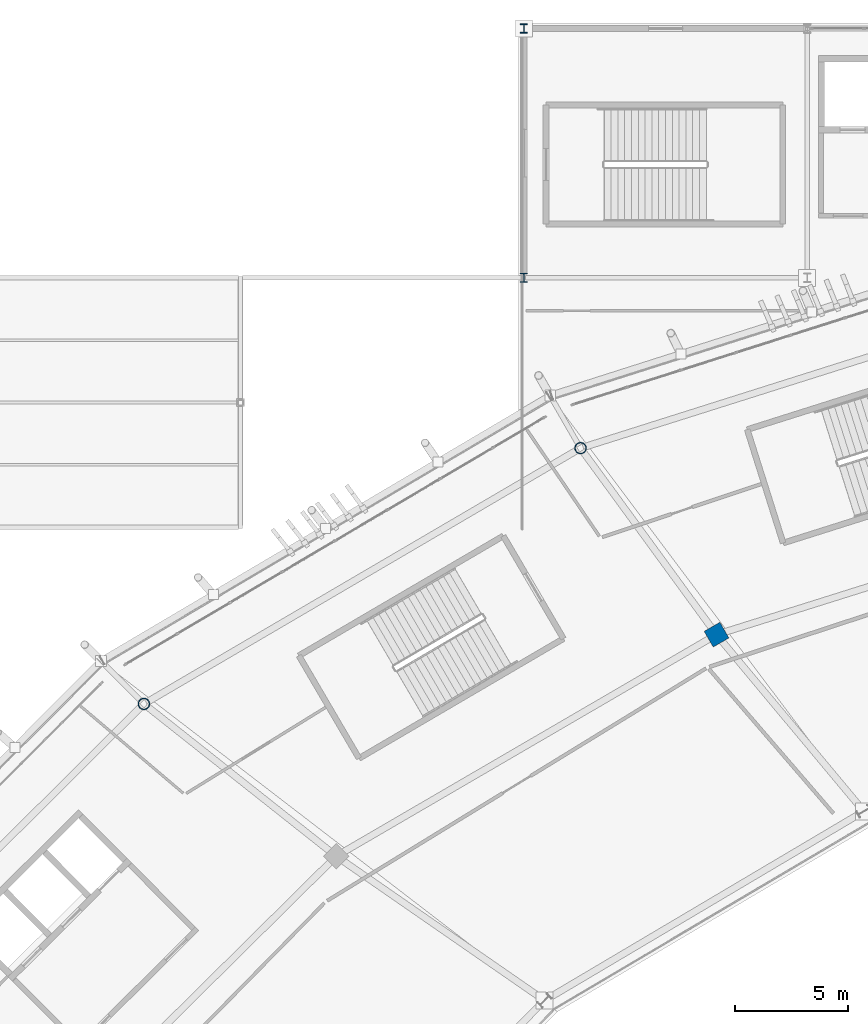
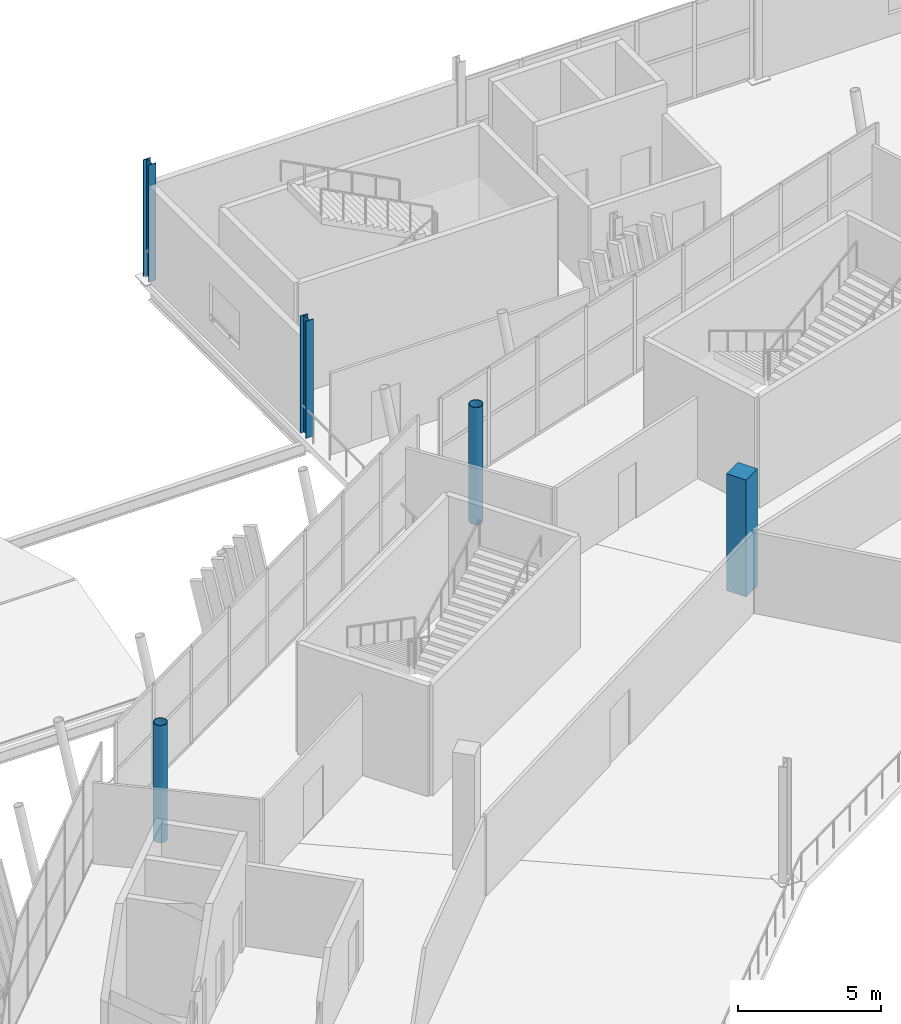
# One storey, part 18 of 179: 5 columns.
"""IFC4 building model written with IfcOpenShell, lengths in metres."""

import ifcopenshell
import ifcopenshell.guid

model = None  # the IFC model being written
_history = None  # IfcOwnerHistory: only IFC2X3 demands one
_inside = {}  # id of a spatial element -> (the spatial element, [elements in it])
_under = {}  # id of a project, library or spatial element -> (it, [spatial elements below it])
_declared = {}  # id of a project -> (the project, [libraries it declares])
_typed = {}  # id of a type object -> (the type object, [elements of that type])
_made_of = {}  # id of a material, layer set ... -> (it, [elements and type objects made of it])


def new_model(schema):
    """Start an empty IFC model of exactly this schema.

    Asked for "IFC4X3", IfcOpenShell would pick the latest addendum, in which some entities
    have other attributes; the version numbers below select the first issue.
    IFC2X3 requires an IfcOwnerHistory on every rooted entity: one is made here for all.
    """
    global model, _history
    if schema == "IFC4X3":
        model = ifcopenshell.file(schema_version=(4, 3, 0, 0))
    else:
        model = ifcopenshell.file(schema=schema)
    _inside.clear()
    _under.clear()
    _declared.clear()
    _typed.clear()
    _made_of.clear()
    _history = None
    if model.schema == "IFC2X3":
        org = make("IfcOrganization", Name="unknown")
        user = make(
            "IfcPersonAndOrganization",
            ThePerson=make("IfcPerson", FamilyName="unknown"),
            TheOrganization=org,
        )
        app = make(
            "IfcApplication",
            ApplicationDeveloper=org,
            Version="unknown",
            ApplicationFullName="unknown",
            ApplicationIdentifier="unknown",
        )
        _history = make(
            "IfcOwnerHistory",
            OwningUser=user,
            OwningApplication=app,
            ChangeAction="ADDED",
            CreationDate=0,
        )
    return model


def make(cls, **values):
    """One entity of the class cls with the attributes given. An attribute that is None is left unset."""
    return model.create_entity(
        cls, **{name: value for name, value in values.items() if value is not None}
    )


def rooted(cls, **values):
    """An entity with a GlobalId (a new one), such as an element, a storey or a relation."""
    return make(cls, GlobalId=ifcopenshell.guid.new(), OwnerHistory=_history, **values)


def si_unit(unit_type, name, prefix=None):
    """IfcSIUnit, for example si_unit("LENGTHUNIT", "METRE", prefix="MILLI")."""
    return make("IfcSIUnit", UnitType=unit_type, Prefix=prefix, Name=name)


def assignment(units):
    """IfcUnitAssignment: the units of a project."""
    return None if units is None else make("IfcUnitAssignment", Units=units)


def point(xyz):
    """IfcCartesianPoint."""
    return None if xyz is None else make("IfcCartesianPoint", Coordinates=xyz)


def direction(xyz):
    """IfcDirection."""
    return None if xyz is None else make("IfcDirection", DirectionRatios=xyz)


def frame(location, z_axis=None, x_axis=None):
    """IfcAxis2Placement3D, a coordinate frame: its origin and axes. An axis left out is left unset."""
    return make(
        "IfcAxis2Placement3D",
        Location=point(location),
        Axis=direction(z_axis),
        RefDirection=direction(x_axis),
    )


def frame_2d(location, x_axis=None):
    """IfcAxis2Placement2D, a coordinate frame in the plane: its origin and x axis."""
    return make(
        "IfcAxis2Placement2D", Location=point(location), RefDirection=direction(x_axis)
    )


def origin():
    """The frame at (0, 0, 0) with its axes left unset."""
    return frame((0.0, 0.0, 0.0))


def origin_2d():
    """The frame at (0, 0) in the plane with its x axis left unset."""
    return frame_2d((0.0, 0.0))


def place(relative_to, where):
    """IfcLocalPlacement: puts the frame where relative to a parent placement (None: the world)."""
    return make(
        "IfcLocalPlacement", PlacementRelTo=relative_to, RelativePlacement=where
    )


def context(
    kind, dimensions, precision=None, world=None, true_north=None, identifier=None
):
    """IfcGeometricRepresentationContext, for example the 3D "Model" context."""
    return make(
        "IfcGeometricRepresentationContext",
        ContextIdentifier=identifier,
        ContextType=kind,
        CoordinateSpaceDimension=dimensions,
        Precision=precision,
        WorldCoordinateSystem=world,
        TrueNorth=true_north,
    )


def subcontext(parent, identifier, kind, view, scale=None):
    """IfcGeometricRepresentationSubContext, for example "Body" below "Model"."""
    return make(
        "IfcGeometricRepresentationSubContext",
        ContextIdentifier=identifier,
        ContextType=kind,
        ParentContext=parent,
        TargetScale=scale,
        TargetView=view,
    )


def project(units=None, contexts=None):
    """IfcProject with its units and contexts."""
    return rooted(
        "IfcProject",
        Name="project",
        RepresentationContexts=contexts,
        UnitsInContext=assignment(units),
    )


def spatial(cls, under=None, at=None, **own):
    """A site, building, storey or space (cls), placed at a placement, below another one or the project."""
    s = rooted(cls, ObjectPlacement=at, **own)
    if under is not None:
        _under.setdefault(under.id(), (under, []))[1].append(s)
    return s


def profile(cls, at=None, kind="AREA", **sizes):
    """A parametric profile (cls). Its sizes go by their IFC names, for example OverallWidth=200.0."""
    return make(cls, ProfileType=kind, Position=at, **sizes)


def rectangle(**sizes):
    """IfcRectangleProfileDef."""
    return profile("IfcRectangleProfileDef", **sizes)


def hollow_circle(**sizes):
    """IfcCircleHollowProfileDef."""
    return profile("IfcCircleHollowProfileDef", **sizes)


def i_section(**sizes):
    """IfcIShapeProfileDef."""
    return profile("IfcIShapeProfileDef", **sizes)


def extrude(swept, where, along, depth):
    """IfcExtrudedAreaSolid: the profile swept, set in the frame where, extruded along a direction by depth."""
    return make(
        "IfcExtrudedAreaSolid",
        SweptArea=swept,
        Position=where,
        ExtrudedDirection=direction(along),
        Depth=depth,
    )


def shape(context_of_items, identifier, shape_type, items):
    """IfcShapeRepresentation: the items that make up one representation, for example the "Body"."""
    return make(
        "IfcShapeRepresentation",
        ContextOfItems=context_of_items,
        RepresentationIdentifier=identifier,
        RepresentationType=shape_type,
        Items=items,
    )


def material(Name=None, Category=None):
    """IfcMaterial."""
    return make("IfcMaterial", Name=Name, Category=Category)


def material_profile(
    of_material, cross_section, Name=None, Category=None, Priority=None
):
    """IfcMaterialProfile: a cross section and its material."""
    return make(
        "IfcMaterialProfile",
        Name=Name,
        Material=of_material,
        Profile=cross_section,
        Priority=Priority,
        Category=Category,
    )


def profile_set(profiles, Name=None, composite=None):
    """IfcMaterialProfileSet."""
    return make(
        "IfcMaterialProfileSet",
        Name=Name,
        MaterialProfiles=profiles,
        CompositeProfile=composite,
    )


def made_of(thing, what):
    """Note that an element or type object is made of a material, layer set ...; save() writes the relation."""
    if what is not None:
        _made_of.setdefault(what.id(), (what, []))[1].append(thing)
    return thing


def type_object(cls, material=None, **own):
    """A type object (cls), such as IfcWallType, which elements share."""
    return made_of(rooted(cls, **own), material)


def element(
    cls,
    number,
    at=None,
    inside=None,
    cuts=None,
    type_object=None,
    material=None,
    context=None,
    identifier="Body",
    shape_type=None,
    held_by="IfcProductDefinitionShape",
    body=None,
    shapes=None,
    **own,
):
    """One element of the class cls, such as IfcWall. Its Tag is "e" and its number.

    at: its placement. inside: the storey or other place that contains it. cuts: it is an
    opening in that element (IfcRelVoidsElement). A single representation is given by context,
    identifier, shape_type and body (its items); several are given by shapes. held_by: the class
    of the entity that holds the representations. save() writes the other relations.
    """
    e = rooted(cls, Tag="e%d" % number, ObjectPlacement=at, **own)
    if body is not None:
        shapes = [shape(context, identifier, shape_type, body)]
    if shapes is not None:
        e.Representation = make(held_by, Representations=shapes)
    if inside is not None:
        _inside.setdefault(inside.id(), (inside, []))[1].append(e)
    if cuts is not None:
        rooted(
            "IfcRelVoidsElement", RelatingBuildingElement=cuts, RelatedOpeningElement=e
        )
    if type_object is not None:
        _typed.setdefault(type_object.id(), (type_object, []))[1].append(e)
    return made_of(e, material)


def aggregate(whole, parts):
    """IfcRelAggregates: a whole, such as a stair, and the parts it consists of."""
    return rooted("IfcRelAggregates", RelatingObject=whole, RelatedObjects=parts)


def save(model, path):
    """Write the relations noted so far, then the file.

    IfcRelAggregates (storeys below a building ...), IfcRelContainedInSpatialStructure (elements
    in a storey), IfcRelDefinesByType, IfcRelAssociatesMaterial and IfcRelDeclares: one each for
    every whole, place, type object, material and project.
    """
    for whole, parts in _under.values():
        aggregate(whole, parts)
    for where, things in _inside.values():
        rooted(
            "IfcRelContainedInSpatialStructure",
            RelatedElements=things,
            RelatingStructure=where,
        )
    for kind, things in _typed.values():
        rooted("IfcRelDefinesByType", RelatedObjects=things, RelatingType=kind)
    for what, things in _made_of.values():
        rooted("IfcRelAssociatesMaterial", RelatedObjects=things, RelatingMaterial=what)
    for by, libraries in _declared.values():
        rooted("IfcRelDeclares", RelatingContext=by, RelatedDefinitions=libraries)
    model.write(path)


model = new_model("IFC4")

# Units and contexts
model_context = context("Model", 3, precision=1e-05, world=origin(), true_north=direction((0.0, 1.0)))
body_context = subcontext(model_context, "Body", "Model", "MODEL_VIEW")
ifc_project = project(units=[si_unit("LENGTHUNIT", "METRE"), si_unit("AREAUNIT", "SQUARE_METRE"), si_unit("VOLUMEUNIT", "CUBIC_METRE"), si_unit("PLANEANGLEUNIT", "RADIAN"), si_unit("MASSUNIT", "GRAM", prefix="KILO")], contexts=[model_context])

# Site, building, storey
site_placement = place(None, origin())
site = spatial("IfcSite", under=ifc_project, at=site_placement, CompositionType="ELEMENT")
building_placement = place(site_placement, origin())
building = spatial("IfcBuilding", under=site, at=building_placement, Name="Zlatoyarsky Gate Stadium", CompositionType="ELEMENT")
storey_placement = place(building_placement, frame((0.0, 0.0, 10.60009765625)))
storey = spatial("IfcBuildingStorey", under=building, at=storey_placement, Name="L02", CompositionType="ELEMENT", Elevation=10.60009765625)

# Columns
ifc_material_1 = material(Name="Concrete C40/50", Category="concrete")
ifc_material_profile_1 = material_profile(ifc_material_1, rectangle(XDim=0.800048828125, YDim=0.800048828125, at=origin_2d()), Name="RC COL 800X800")
ifc_profile_set_1 = profile_set([ifc_material_profile_1], Name="Concrete C40/50")
column_type_1 = type_object("IfcColumnType", Name="CONCRETE COLUMN 800X800", PredefinedType="COLUMN", material=ifc_profile_set_1)
column_placement = place(storey_placement, frame((70.5, 133.260498046875, 0.0), z_axis=(0.0, 0.0, 1.0), x_axis=(-0.5, 0.866025403784, 0.0)))
element("IfcColumn", 1, at=column_placement, inside=storey, type_object=column_type_1, Name="Column RC-C80 RB-08 on L02", PredefinedType="COLUMN", context=body_context, shape_type="SweptSolid", body=[
    extrude(rectangle(XDim=0.800048828125, YDim=0.800048828125, at=origin_2d()), origin(), (0.0, 0.0, 1.0), 5.0),
])
ifc_material_2 = material(Name="Steel S355", Category="steel")
ifc_material_profile_2 = material_profile(ifc_material_2, i_section(OverallWidth=0.300048828125, OverallDepth=0.39990234375, WebThickness=0.013427734375, FlangeThickness=0.02392578125, FilletRadius=0.027099609375, at=origin_2d()), Name="HEB 400")
ifc_profile_set_2 = profile_set([ifc_material_profile_2], Name="Steel S355")
column_type_2 = type_object("IfcColumnType", Name="STEEL COLUMN HEB 400", PredefinedType="COLUMN", material=ifc_profile_set_2)
for number, where, z_axis, x_axis, name in (
    (2, (62.0, 149.0, 0.0), (0.0, 0.0, 1.0), (1.0, 0.0, 0.0), "Column ST-C400 WG-6-P on L02"),
    (3, (62.0, 160.0, 0.0), (0.0, 0.0, 1.0), (1.0, 0.0, 0.0), "Column ST-C400 WG-6-Q on L02"),
):
    element("IfcColumn", number, at=place(storey_placement, frame(where, z_axis=z_axis, x_axis=x_axis)), inside=storey, type_object=column_type_2, Name=name, PredefinedType="COLUMN", context=body_context, shape_type="SweptSolid", body=[
        extrude(i_section(OverallWidth=0.300048828125, OverallDepth=0.39990234375, WebThickness=0.013427734375, FlangeThickness=0.02392578125, FilletRadius=0.027099609375, at=origin_2d()), origin(), (0.0, 0.0, 1.0), 5.0),
    ])
ifc_material_profile_3 = material_profile(ifc_material_2, hollow_circle(Radius=0.25390625, WallThickness=0.02490234375, at=origin_2d()), Name="CHS 508X25")
ifc_profile_set_3 = profile_set([ifc_material_profile_3], Name="Steel S355")
column_type_3 = type_object("IfcColumnType", Name="STEEL TUBULAR COLUMN CHS 508X25", PredefinedType="COLUMN", material=ifc_profile_set_3)
for number, where, z_axis, x_axis, name in (
    (4, (64.5, 141.48779296875, 0.0), (0.0, 0.0, 1.0), (-0.5, 0.866025403784, 0.0), "Column ST-C508 RC-08 on L02"),
    (5, (45.239013671875, 130.20458984375, 0.0), (0.0, 0.0, 1.0), (-0.707106781187, 0.707106781187, 0.0), "Column ST-C508 RC-09 on L02"),
):
    element("IfcColumn", number, at=place(storey_placement, frame(where, z_axis=z_axis, x_axis=x_axis)), inside=storey, type_object=column_type_3, Name=name, PredefinedType="COLUMN", context=body_context, shape_type="SweptSolid", body=[
        extrude(hollow_circle(Radius=0.25390625, WallThickness=0.02490234375, at=origin_2d()), origin(), (0.0, 0.0, 1.0), 5.0),
    ])

save(model, "model.ifc")
